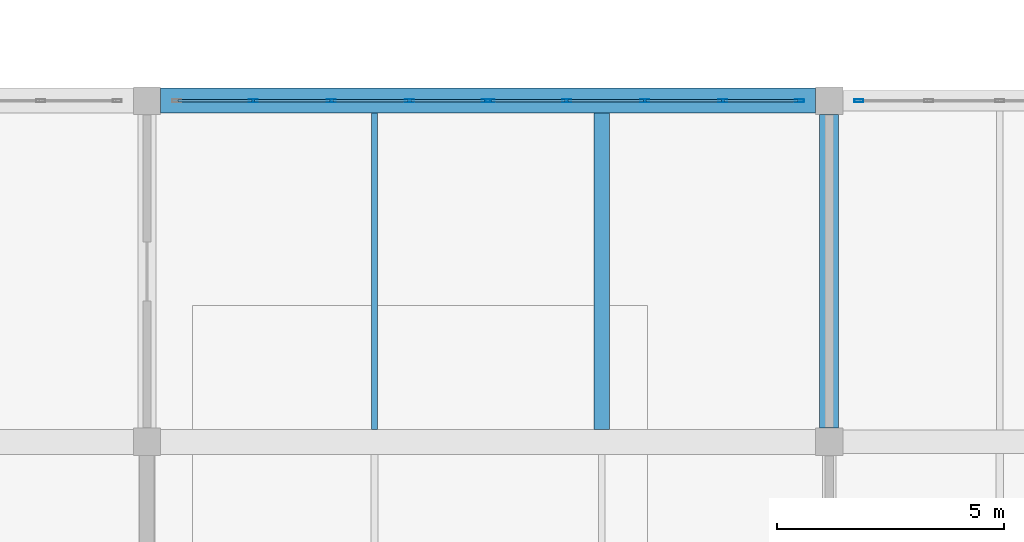
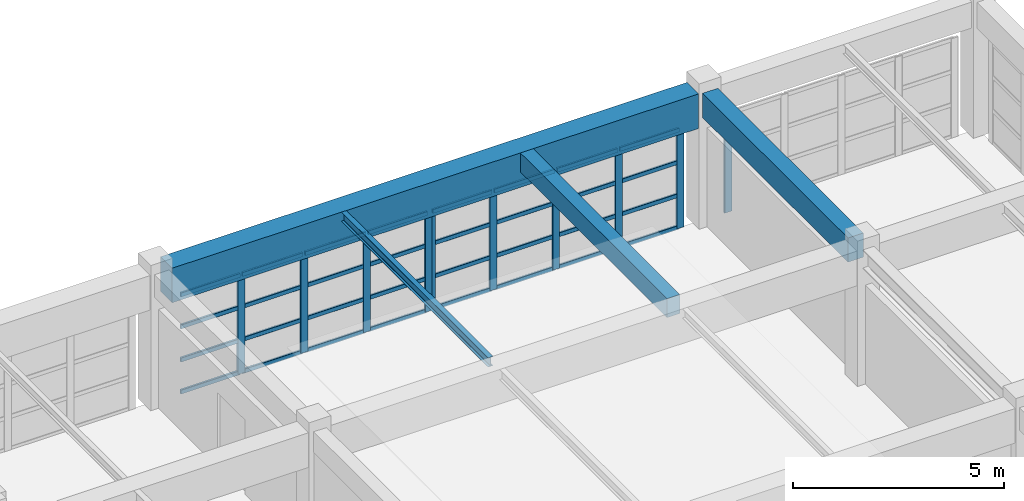
# One storey, part 20 of 124: 42 members, 4 beams, 3 elements without a shape of their own.
"""IFC4 building model written with IfcOpenShell, lengths in metres."""

from ifc_helpers import new_model, si_unit, direction, frame, origin, origin_2d, place, context, subcontext, project, spatial, rectangle, hollow_rectangle, i_section, extrude, material, material_profile, profile_set, type_object, element, aggregate, save


model = new_model("IFC4")

# Units and contexts
model_context = context("Model", 3, precision=1e-05, world=origin(), true_north=direction((0.0, 1.0)))
body_context = subcontext(model_context, "Body", "Model", "MODEL_VIEW")
ifc_project = project(units=[si_unit("LENGTHUNIT", "METRE"), si_unit("AREAUNIT", "SQUARE_METRE"), si_unit("VOLUMEUNIT", "CUBIC_METRE"), si_unit("PLANEANGLEUNIT", "RADIAN"), si_unit("MASSUNIT", "GRAM", prefix="KILO")], contexts=[model_context])

# Site, building, storey
site_placement = place(None, origin())
site = spatial("IfcSite", under=ifc_project, at=site_placement, CompositionType="ELEMENT")
building_placement = place(site_placement, origin())
building = spatial("IfcBuilding", under=site, at=building_placement, Name="Qasida Concert Hall", CompositionType="ELEMENT")
storey_placement = place(building_placement, frame((0.0, 0.0, 9.0)))
storey = spatial("IfcBuildingStorey", under=building, at=storey_placement, Name="L02", CompositionType="ELEMENT", Elevation=9.0)

# Beams
ifc_material_1 = material(Name="Concrete C40/50", Category="concrete")
ifc_material_profile_1 = material_profile(ifc_material_1, rectangle(XDim=0.419921875, YDim=0.699951171875, at=origin_2d()), Name="RC 420x700")
ifc_profile_set_1 = profile_set([ifc_material_profile_1], Name="Concrete C40/50")
beam_type_1 = type_object("IfcBeamType", Name="BM-B11", PredefinedType="BEAM", material=ifc_profile_set_1)
beam_1_placement = place(storey_placement, frame((30.0, 45.300048828125, 3.550048828125), z_axis=(0.0, 1.0, 0.0), x_axis=(-1.0, 0.0, 0.0)))
element("IfcBeam", 1, at=beam_1_placement, inside=storey, type_object=beam_type_1, Name="L02 girder 1313", PredefinedType="BEAM", context=body_context, shape_type="SweptSolid", body=[
    extrude(rectangle(XDim=0.419921875, YDim=0.699951171875, at=origin_2d()), origin(), (0.0, 0.0, 1.0), 6.89990234375),
])
ifc_material_profile_2 = material_profile(ifc_material_1, rectangle(XDim=0.550048828125, YDim=1.0, at=origin_2d()), Name="RC 550x1000")
ifc_profile_set_2 = profile_set([ifc_material_profile_2], Name="Concrete C40/50")
beam_type_2 = type_object("IfcBeamType", Name="BM-G3", PredefinedType="USERDEFINED", material=ifc_profile_set_2)
beam_2_placement = place(storey_placement, frame((15.300048828125, 52.5, 3.39990234375), z_axis=(1.0, 0.0, 0.0), x_axis=(0.0, 1.0, 0.0)))
element("IfcBeam", 2, at=beam_2_placement, inside=storey, type_object=beam_type_2, Name="Primary girder 1291", ObjectType="GIRDER", PredefinedType="USERDEFINED", context=body_context, shape_type="SweptSolid", body=[
    extrude(rectangle(XDim=0.550048828125, YDim=1.0, at=origin_2d()), origin(), (0.0, 0.0, 1.0), 14.39990234375),
])
ifc_material_2 = material(Name="Steel S355J2", Category="steel")
ifc_material_profile_3 = material_profile(ifc_material_2, i_section(OverallWidth=0.135009765625, OverallDepth=0.27001953125, WebThickness=0.006591796875, FlangeThickness=0.01025390625, FilletRadius=0.014892578125, at=origin_2d()), Name="IPE 270")
ifc_profile_set_3 = profile_set([ifc_material_profile_3], Name="Steel S355J2")
beam_type_3 = type_object("IfcBeamType", Name="BM-J6", PredefinedType="JOIST", material=ifc_profile_set_3)
beam_3_placement = place(storey_placement, frame((20.0, 45.27490234375, 3.764892578125), z_axis=(0.0, 1.0, 0.0), x_axis=(-1.0, 0.0, 0.0)))
element("IfcBeam", 3, at=beam_3_placement, inside=storey, type_object=beam_type_3, Name="L02 secondary joist 1341", PredefinedType="JOIST", context=body_context, shape_type="SweptSolid", body=[
    extrude(i_section(OverallWidth=0.135009765625, OverallDepth=0.27001953125, WebThickness=0.006591796875, FlangeThickness=0.01025390625, FilletRadius=0.014892578125, at=origin_2d()), origin(), (0.0, 0.0, 1.0), 6.9501953125),
])
ifc_material_profile_4 = material_profile(ifc_material_1, rectangle(XDim=0.35009765625, YDim=0.550048828125, at=origin_2d()), Name="RC 350x550")
ifc_profile_set_4 = profile_set([ifc_material_profile_4], Name="Concrete C40/50")
beam_type_4 = type_object("IfcBeamType", Name="BM-J8", PredefinedType="JOIST", material=ifc_profile_set_4)
beam_4_placement = place(storey_placement, frame((25.0, 45.27490234375, 3.625), z_axis=(0.0, 1.0, 0.0), x_axis=(-1.0, 0.0, 0.0)))
element("IfcBeam", 4, at=beam_4_placement, inside=storey, type_object=beam_type_4, Name="L02 secondary joist 1342", PredefinedType="JOIST", context=body_context, shape_type="SweptSolid", body=[
    extrude(rectangle(XDim=0.35009765625, YDim=0.550048828125, at=origin_2d()), origin(), (0.0, 0.0, 1.0), 6.9501953125),
])

# Curtain wall, members
ifc_material_3 = material(Name="Architectural bronze-anodized aluminium and low-E glass", Category="aluminium")
curtain_wall_type = type_object("IfcCurtainWallType", Name="CW-08", PredefinedType="NOTDEFINED", material=ifc_material_3)
curtain_wall_1_placement = place(storey_placement, origin())
curtain_wall_1 = element("IfcCurtainWall", 5, at=curtain_wall_1_placement, inside=storey, type_object=curtain_wall_type, Name="L02 curtain wall CW-08 0104", PredefinedType="NOTDEFINED")
ifc_material_4 = material(Name="Architectural bronze-anodized aluminium EN AW-6063", Category="aluminium")
ifc_material_profile_5 = material_profile(ifc_material_4, hollow_rectangle(XDim=0.06494140625, YDim=0.199951171875, WallThickness=0.0048828125, InnerFilletRadius=0.0048828125, OuterFilletRadius=0.010009765625, at=origin_2d()), Name="CWM 200x65x5")
ifc_profile_set_5 = profile_set([ifc_material_profile_5], Name="Architectural bronze-anodized aluminium EN AW-6063")
member_type_1 = type_object("IfcMemberType", Name="MB-CWM-2", PredefinedType="MULLION", material=ifc_profile_set_5)
member_1_placement = place(storey_placement, frame((17.33740234375, 52.5, 0.0), z_axis=(0.0, 0.0, 1.0), x_axis=(0.0, 1.0, 0.0)))
member_1 = element("IfcMember", 6, at=member_1_placement, type_object=member_type_1, Name="CW-08 mullion 2", PredefinedType="MULLION", context=body_context, shape_type="SweptSolid", body=[
    extrude(hollow_rectangle(XDim=0.06494140625, YDim=0.199951171875, WallThickness=0.0048828125, InnerFilletRadius=0.0048828125, OuterFilletRadius=0.010009765625, at=origin_2d()), origin(), (0.0, 0.0, 1.0), 2.8701171875),
])
member_2_placement = place(storey_placement, frame((19.054931640625, 52.5, 0.0), z_axis=(0.0, 0.0, 1.0), x_axis=(0.0, 1.0, 0.0)))
member_2 = element("IfcMember", 7, at=member_2_placement, type_object=member_type_1, Name="CW-08 mullion 3", PredefinedType="MULLION", context=body_context, shape_type="SweptSolid", body=[
    extrude(hollow_rectangle(XDim=0.06494140625, YDim=0.199951171875, WallThickness=0.0048828125, InnerFilletRadius=0.0048828125, OuterFilletRadius=0.010009765625, at=origin_2d()), origin(), (0.0, 0.0, 1.0), 2.8701171875),
])
member_3_placement = place(storey_placement, frame((20.7724609375, 52.5, 0.0), z_axis=(0.0, 0.0, 1.0), x_axis=(0.0, 1.0, 0.0)))
member_3 = element("IfcMember", 8, at=member_3_placement, type_object=member_type_1, Name="CW-08 mullion 4", PredefinedType="MULLION", context=body_context, shape_type="SweptSolid", body=[
    extrude(hollow_rectangle(XDim=0.06494140625, YDim=0.199951171875, WallThickness=0.0048828125, InnerFilletRadius=0.0048828125, OuterFilletRadius=0.010009765625, at=origin_2d()), origin(), (0.0, 0.0, 1.0), 2.8701171875),
])
member_4_placement = place(storey_placement, frame((22.45751953125, 52.5, 0.0), z_axis=(0.0, 0.0, 1.0), x_axis=(0.0, 1.0, 0.0)))
member_4 = element("IfcMember", 9, at=member_4_placement, type_object=member_type_1, Name="CW-08 mullion 5", PredefinedType="MULLION", context=body_context, shape_type="SweptSolid", body=[
    extrude(hollow_rectangle(XDim=0.06494140625, YDim=0.199951171875, WallThickness=0.0048828125, InnerFilletRadius=0.0048828125, OuterFilletRadius=0.010009765625, at=origin_2d()), origin(), (0.0, 0.0, 1.0), 2.8701171875),
])

curtain_wall_2_placement = place(storey_placement, origin())
curtain_wall_2 = element("IfcCurtainWall", 10, at=curtain_wall_2_placement, inside=storey, type_object=curtain_wall_type, Name="L02 curtain wall CW-08 0106", PredefinedType="NOTDEFINED")
member_5_placement = place(storey_placement, frame((22.54248046875, 52.5, 0.0), z_axis=(0.0, 0.0, 1.0), x_axis=(0.0, 1.0, 0.0)))
member_5 = element("IfcMember", 11, at=member_5_placement, type_object=member_type_1, Name="CW-08 mullion 1", PredefinedType="MULLION", context=body_context, shape_type="SweptSolid", body=[
    extrude(hollow_rectangle(XDim=0.06494140625, YDim=0.199951171875, WallThickness=0.0048828125, InnerFilletRadius=0.0048828125, OuterFilletRadius=0.010009765625, at=origin_2d()), origin(), (0.0, 0.0, 1.0), 2.8701171875),
])
member_6_placement = place(storey_placement, frame((24.2275390625, 52.5, 0.0), z_axis=(0.0, 0.0, 1.0), x_axis=(0.0, 1.0, 0.0)))
member_6 = element("IfcMember", 12, at=member_6_placement, type_object=member_type_1, Name="CW-08 mullion 2", PredefinedType="MULLION", context=body_context, shape_type="SweptSolid", body=[
    extrude(hollow_rectangle(XDim=0.06494140625, YDim=0.199951171875, WallThickness=0.0048828125, InnerFilletRadius=0.0048828125, OuterFilletRadius=0.010009765625, at=origin_2d()), origin(), (0.0, 0.0, 1.0), 2.8701171875),
])
member_7_placement = place(storey_placement, frame((25.945068359375, 52.5, 0.0), z_axis=(0.0, 0.0, 1.0), x_axis=(0.0, 1.0, 0.0)))
member_7 = element("IfcMember", 13, at=member_7_placement, type_object=member_type_1, Name="CW-08 mullion 3", PredefinedType="MULLION", context=body_context, shape_type="SweptSolid", body=[
    extrude(hollow_rectangle(XDim=0.06494140625, YDim=0.199951171875, WallThickness=0.0048828125, InnerFilletRadius=0.0048828125, OuterFilletRadius=0.010009765625, at=origin_2d()), origin(), (0.0, 0.0, 1.0), 2.8701171875),
])
member_8_placement = place(storey_placement, frame((27.66259765625, 52.5, 0.0), z_axis=(0.0, 0.0, 1.0), x_axis=(0.0, 1.0, 0.0)))
member_8 = element("IfcMember", 14, at=member_8_placement, type_object=member_type_1, Name="CW-08 mullion 4", PredefinedType="MULLION", context=body_context, shape_type="SweptSolid", body=[
    extrude(hollow_rectangle(XDim=0.06494140625, YDim=0.199951171875, WallThickness=0.0048828125, InnerFilletRadius=0.0048828125, OuterFilletRadius=0.010009765625, at=origin_2d()), origin(), (0.0, 0.0, 1.0), 2.8701171875),
])
member_9_placement = place(storey_placement, frame((29.347412109375, 52.5, 0.0), z_axis=(0.0, 0.0, 1.0), x_axis=(0.0, 1.0, 0.0)))
member_9 = element("IfcMember", 15, at=member_9_placement, type_object=member_type_1, Name="CW-08 mullion 5", PredefinedType="MULLION", context=body_context, shape_type="SweptSolid", body=[
    extrude(hollow_rectangle(XDim=0.06494140625, YDim=0.199951171875, WallThickness=0.0048828125, InnerFilletRadius=0.0048828125, OuterFilletRadius=0.010009765625, at=origin_2d()), origin(), (0.0, 0.0, 1.0), 2.8701171875),
])

# Curtain wall, member
curtain_wall_3_placement = place(storey_placement, origin())
curtain_wall_3 = element("IfcCurtainWall", 16, at=curtain_wall_3_placement, inside=storey, type_object=curtain_wall_type, Name="L02 curtain wall CW-08 0108", PredefinedType="NOTDEFINED")
member_10_placement = place(storey_placement, frame((30.652587890625, 52.5, 0.0), z_axis=(0.0, 0.0, 1.0), x_axis=(0.0, 1.0, 0.0)))
member_10 = element("IfcMember", 17, at=member_10_placement, type_object=member_type_1, Name="CW-08 mullion 1", PredefinedType="MULLION", context=body_context, shape_type="SweptSolid", body=[
    extrude(hollow_rectangle(XDim=0.06494140625, YDim=0.199951171875, WallThickness=0.0048828125, InnerFilletRadius=0.0048828125, OuterFilletRadius=0.010009765625, at=origin_2d()), origin(), (0.0, 0.0, 1.0), 2.8701171875),
])
aggregate(curtain_wall_3, [member_10])

# Member
ifc_material_profile_6 = material_profile(ifc_material_4, hollow_rectangle(XDim=0.06005859375, YDim=0.1201171875, WallThickness=0.00390625, InnerFilletRadius=0.00390625, OuterFilletRadius=0.008056640625, at=origin_2d()), Name="CWT 120x60x4")
ifc_profile_set_6 = profile_set([ifc_material_profile_6], Name="Architectural bronze-anodized aluminium EN AW-6063")
member_type_2 = type_object("IfcMemberType", Name="MB-CWT-2", PredefinedType="USERDEFINED", material=ifc_profile_set_6)
member_11_placement = place(storey_placement, frame((15.68505859375, 52.5, 0.030029296875), z_axis=(1.0, 0.0, 0.0), x_axis=(0.0, 1.0, 0.0)))
member_11 = element("IfcMember", 18, at=member_11_placement, type_object=member_type_2, Name="CW-08 transom 1.1", ObjectType="TRANSOM", PredefinedType="USERDEFINED", context=body_context, shape_type="SweptSolid", body=[
    extrude(hollow_rectangle(XDim=0.06005859375, YDim=0.1201171875, WallThickness=0.00390625, InnerFilletRadius=0.00390625, OuterFilletRadius=0.008056640625, at=origin_2d()), origin(), (0.0, 0.0, 1.0), 1.619873046875),
])

member_12_placement = place(storey_placement, frame((15.68505859375, 52.5, 0.956787109375), z_axis=(1.0, 0.0, 0.0), x_axis=(0.0, 1.0, 0.0)))
member_12 = element("IfcMember", 19, at=member_12_placement, type_object=member_type_2, Name="CW-08 transom 1.2", ObjectType="TRANSOM", PredefinedType="USERDEFINED", context=body_context, shape_type="SweptSolid", body=[
    extrude(hollow_rectangle(XDim=0.06005859375, YDim=0.1201171875, WallThickness=0.00390625, InnerFilletRadius=0.00390625, OuterFilletRadius=0.008056640625, at=origin_2d()), origin(), (0.0, 0.0, 1.0), 1.619873046875),
])

member_13_placement = place(storey_placement, frame((15.68505859375, 52.5, 1.913330078125), z_axis=(1.0, 0.0, 0.0), x_axis=(0.0, 1.0, 0.0)))
member_13 = element("IfcMember", 20, at=member_13_placement, type_object=member_type_2, Name="CW-08 transom 1.3", ObjectType="TRANSOM", PredefinedType="USERDEFINED", context=body_context, shape_type="SweptSolid", body=[
    extrude(hollow_rectangle(XDim=0.06005859375, YDim=0.1201171875, WallThickness=0.00390625, InnerFilletRadius=0.00390625, OuterFilletRadius=0.008056640625, at=origin_2d()), origin(), (0.0, 0.0, 1.0), 1.619873046875),
])

member_14_placement = place(storey_placement, frame((15.68505859375, 52.5, 2.840087890625), z_axis=(1.0, 0.0, 0.0), x_axis=(0.0, 1.0, 0.0)))
member_14 = element("IfcMember", 21, at=member_14_placement, type_object=member_type_2, Name="CW-08 transom 1.4", ObjectType="TRANSOM", PredefinedType="USERDEFINED", context=body_context, shape_type="SweptSolid", body=[
    extrude(hollow_rectangle(XDim=0.06005859375, YDim=0.1201171875, WallThickness=0.00390625, InnerFilletRadius=0.00390625, OuterFilletRadius=0.008056640625, at=origin_2d()), origin(), (0.0, 0.0, 1.0), 1.619873046875),
])

member_15_placement = place(storey_placement, frame((17.3701171875, 52.5, 0.030029296875), z_axis=(1.0, 0.0, 0.0), x_axis=(0.0, 1.0, 0.0)))
member_15 = element("IfcMember", 22, at=member_15_placement, type_object=member_type_2, Name="CW-08 transom 2.1", ObjectType="TRANSOM", PredefinedType="USERDEFINED", context=body_context, shape_type="SweptSolid", body=[
    extrude(hollow_rectangle(XDim=0.06005859375, YDim=0.1201171875, WallThickness=0.00390625, InnerFilletRadius=0.00390625, OuterFilletRadius=0.008056640625, at=origin_2d()), origin(), (0.0, 0.0, 1.0), 1.65234375),
])

member_16_placement = place(storey_placement, frame((17.3701171875, 52.5, 0.956787109375), z_axis=(1.0, 0.0, 0.0), x_axis=(0.0, 1.0, 0.0)))
member_16 = element("IfcMember", 23, at=member_16_placement, type_object=member_type_2, Name="CW-08 transom 2.2", ObjectType="TRANSOM", PredefinedType="USERDEFINED", context=body_context, shape_type="SweptSolid", body=[
    extrude(hollow_rectangle(XDim=0.06005859375, YDim=0.1201171875, WallThickness=0.00390625, InnerFilletRadius=0.00390625, OuterFilletRadius=0.008056640625, at=origin_2d()), origin(), (0.0, 0.0, 1.0), 1.65234375),
])

member_17_placement = place(storey_placement, frame((17.3701171875, 52.5, 1.913330078125), z_axis=(1.0, 0.0, 0.0), x_axis=(0.0, 1.0, 0.0)))
member_17 = element("IfcMember", 24, at=member_17_placement, type_object=member_type_2, Name="CW-08 transom 2.3", ObjectType="TRANSOM", PredefinedType="USERDEFINED", context=body_context, shape_type="SweptSolid", body=[
    extrude(hollow_rectangle(XDim=0.06005859375, YDim=0.1201171875, WallThickness=0.00390625, InnerFilletRadius=0.00390625, OuterFilletRadius=0.008056640625, at=origin_2d()), origin(), (0.0, 0.0, 1.0), 1.65234375),
])

member_18_placement = place(storey_placement, frame((17.3701171875, 52.5, 2.840087890625), z_axis=(1.0, 0.0, 0.0), x_axis=(0.0, 1.0, 0.0)))
member_18 = element("IfcMember", 25, at=member_18_placement, type_object=member_type_2, Name="CW-08 transom 2.4", ObjectType="TRANSOM", PredefinedType="USERDEFINED", context=body_context, shape_type="SweptSolid", body=[
    extrude(hollow_rectangle(XDim=0.06005859375, YDim=0.1201171875, WallThickness=0.00390625, InnerFilletRadius=0.00390625, OuterFilletRadius=0.008056640625, at=origin_2d()), origin(), (0.0, 0.0, 1.0), 1.65234375),
])

member_19_placement = place(storey_placement, frame((19.08740234375, 52.5, 0.030029296875), z_axis=(1.0, 0.0, 0.0), x_axis=(0.0, 1.0, 0.0)))
member_19 = element("IfcMember", 26, at=member_19_placement, type_object=member_type_2, Name="CW-08 transom 3.1", ObjectType="TRANSOM", PredefinedType="USERDEFINED", context=body_context, shape_type="SweptSolid", body=[
    extrude(hollow_rectangle(XDim=0.06005859375, YDim=0.1201171875, WallThickness=0.00390625, InnerFilletRadius=0.00390625, OuterFilletRadius=0.008056640625, at=origin_2d()), origin(), (0.0, 0.0, 1.0), 1.652587890625),
])

member_20_placement = place(storey_placement, frame((19.08740234375, 52.5, 0.956787109375), z_axis=(1.0, 0.0, 0.0), x_axis=(0.0, 1.0, 0.0)))
member_20 = element("IfcMember", 27, at=member_20_placement, type_object=member_type_2, Name="CW-08 transom 3.2", ObjectType="TRANSOM", PredefinedType="USERDEFINED", context=body_context, shape_type="SweptSolid", body=[
    extrude(hollow_rectangle(XDim=0.06005859375, YDim=0.1201171875, WallThickness=0.00390625, InnerFilletRadius=0.00390625, OuterFilletRadius=0.008056640625, at=origin_2d()), origin(), (0.0, 0.0, 1.0), 1.652587890625),
])

member_21_placement = place(storey_placement, frame((19.08740234375, 52.5, 1.913330078125), z_axis=(1.0, 0.0, 0.0), x_axis=(0.0, 1.0, 0.0)))
member_21 = element("IfcMember", 28, at=member_21_placement, type_object=member_type_2, Name="CW-08 transom 3.3", ObjectType="TRANSOM", PredefinedType="USERDEFINED", context=body_context, shape_type="SweptSolid", body=[
    extrude(hollow_rectangle(XDim=0.06005859375, YDim=0.1201171875, WallThickness=0.00390625, InnerFilletRadius=0.00390625, OuterFilletRadius=0.008056640625, at=origin_2d()), origin(), (0.0, 0.0, 1.0), 1.652587890625),
])

member_22_placement = place(storey_placement, frame((19.08740234375, 52.5, 2.840087890625), z_axis=(1.0, 0.0, 0.0), x_axis=(0.0, 1.0, 0.0)))
member_22 = element("IfcMember", 29, at=member_22_placement, type_object=member_type_2, Name="CW-08 transom 3.4", ObjectType="TRANSOM", PredefinedType="USERDEFINED", context=body_context, shape_type="SweptSolid", body=[
    extrude(hollow_rectangle(XDim=0.06005859375, YDim=0.1201171875, WallThickness=0.00390625, InnerFilletRadius=0.00390625, OuterFilletRadius=0.008056640625, at=origin_2d()), origin(), (0.0, 0.0, 1.0), 1.652587890625),
])

member_23_placement = place(storey_placement, frame((20.804931640625, 52.5, 0.030029296875), z_axis=(1.0, 0.0, 0.0), x_axis=(0.0, 1.0, 0.0)))
member_23 = element("IfcMember", 30, at=member_23_placement, type_object=member_type_2, Name="CW-08 transom 4.1", ObjectType="TRANSOM", PredefinedType="USERDEFINED", context=body_context, shape_type="SweptSolid", body=[
    extrude(hollow_rectangle(XDim=0.06005859375, YDim=0.1201171875, WallThickness=0.00390625, InnerFilletRadius=0.00390625, OuterFilletRadius=0.008056640625, at=origin_2d()), origin(), (0.0, 0.0, 1.0), 1.6201171875),
])

member_24_placement = place(storey_placement, frame((20.804931640625, 52.5, 0.956787109375), z_axis=(1.0, 0.0, 0.0), x_axis=(0.0, 1.0, 0.0)))
member_24 = element("IfcMember", 31, at=member_24_placement, type_object=member_type_2, Name="CW-08 transom 4.2", ObjectType="TRANSOM", PredefinedType="USERDEFINED", context=body_context, shape_type="SweptSolid", body=[
    extrude(hollow_rectangle(XDim=0.06005859375, YDim=0.1201171875, WallThickness=0.00390625, InnerFilletRadius=0.00390625, OuterFilletRadius=0.008056640625, at=origin_2d()), origin(), (0.0, 0.0, 1.0), 1.6201171875),
])

member_25_placement = place(storey_placement, frame((20.804931640625, 52.5, 1.913330078125), z_axis=(1.0, 0.0, 0.0), x_axis=(0.0, 1.0, 0.0)))
member_25 = element("IfcMember", 32, at=member_25_placement, type_object=member_type_2, Name="CW-08 transom 4.3", ObjectType="TRANSOM", PredefinedType="USERDEFINED", context=body_context, shape_type="SweptSolid", body=[
    extrude(hollow_rectangle(XDim=0.06005859375, YDim=0.1201171875, WallThickness=0.00390625, InnerFilletRadius=0.00390625, OuterFilletRadius=0.008056640625, at=origin_2d()), origin(), (0.0, 0.0, 1.0), 1.6201171875),
])

member_26_placement = place(storey_placement, frame((20.804931640625, 52.5, 2.840087890625), z_axis=(1.0, 0.0, 0.0), x_axis=(0.0, 1.0, 0.0)))
member_26 = element("IfcMember", 33, at=member_26_placement, type_object=member_type_2, Name="CW-08 transom 4.4", ObjectType="TRANSOM", PredefinedType="USERDEFINED", context=body_context, shape_type="SweptSolid", body=[
    extrude(hollow_rectangle(XDim=0.06005859375, YDim=0.1201171875, WallThickness=0.00390625, InnerFilletRadius=0.00390625, OuterFilletRadius=0.008056640625, at=origin_2d()), origin(), (0.0, 0.0, 1.0), 1.6201171875),
])

aggregate(curtain_wall_1, [member_1, member_2, member_3, member_4, member_11, member_12, member_13, member_14, member_15, member_16, member_17, member_18, member_19, member_20, member_21, member_22, member_23, member_24, member_25, member_26])

member_27_placement = place(storey_placement, frame((22.574951171875, 52.5, 0.030029296875), z_axis=(1.0, 0.0, 0.0), x_axis=(0.0, 1.0, 0.0)))
member_27 = element("IfcMember", 34, at=member_27_placement, type_object=member_type_2, Name="CW-08 transom 1.1", ObjectType="TRANSOM", PredefinedType="USERDEFINED", context=body_context, shape_type="SweptSolid", body=[
    extrude(hollow_rectangle(XDim=0.06005859375, YDim=0.1201171875, WallThickness=0.00390625, InnerFilletRadius=0.00390625, OuterFilletRadius=0.008056640625, at=origin_2d()), origin(), (0.0, 0.0, 1.0), 1.6201171875),
])

member_28_placement = place(storey_placement, frame((22.574951171875, 52.5, 0.956787109375), z_axis=(1.0, 0.0, 0.0), x_axis=(0.0, 1.0, 0.0)))
member_28 = element("IfcMember", 35, at=member_28_placement, type_object=member_type_2, Name="CW-08 transom 1.2", ObjectType="TRANSOM", PredefinedType="USERDEFINED", context=body_context, shape_type="SweptSolid", body=[
    extrude(hollow_rectangle(XDim=0.06005859375, YDim=0.1201171875, WallThickness=0.00390625, InnerFilletRadius=0.00390625, OuterFilletRadius=0.008056640625, at=origin_2d()), origin(), (0.0, 0.0, 1.0), 1.6201171875),
])

member_29_placement = place(storey_placement, frame((22.574951171875, 52.5, 1.913330078125), z_axis=(1.0, 0.0, 0.0), x_axis=(0.0, 1.0, 0.0)))
member_29 = element("IfcMember", 36, at=member_29_placement, type_object=member_type_2, Name="CW-08 transom 1.3", ObjectType="TRANSOM", PredefinedType="USERDEFINED", context=body_context, shape_type="SweptSolid", body=[
    extrude(hollow_rectangle(XDim=0.06005859375, YDim=0.1201171875, WallThickness=0.00390625, InnerFilletRadius=0.00390625, OuterFilletRadius=0.008056640625, at=origin_2d()), origin(), (0.0, 0.0, 1.0), 1.6201171875),
])

member_30_placement = place(storey_placement, frame((22.574951171875, 52.5, 2.840087890625), z_axis=(1.0, 0.0, 0.0), x_axis=(0.0, 1.0, 0.0)))
member_30 = element("IfcMember", 37, at=member_30_placement, type_object=member_type_2, Name="CW-08 transom 1.4", ObjectType="TRANSOM", PredefinedType="USERDEFINED", context=body_context, shape_type="SweptSolid", body=[
    extrude(hollow_rectangle(XDim=0.06005859375, YDim=0.1201171875, WallThickness=0.00390625, InnerFilletRadius=0.00390625, OuterFilletRadius=0.008056640625, at=origin_2d()), origin(), (0.0, 0.0, 1.0), 1.6201171875),
])

member_31_placement = place(storey_placement, frame((24.260009765625, 52.5, 0.030029296875), z_axis=(1.0, 0.0, 0.0), x_axis=(0.0, 1.0, 0.0)))
member_31 = element("IfcMember", 38, at=member_31_placement, type_object=member_type_2, Name="CW-08 transom 2.1", ObjectType="TRANSOM", PredefinedType="USERDEFINED", context=body_context, shape_type="SweptSolid", body=[
    extrude(hollow_rectangle(XDim=0.06005859375, YDim=0.1201171875, WallThickness=0.00390625, InnerFilletRadius=0.00390625, OuterFilletRadius=0.008056640625, at=origin_2d()), origin(), (0.0, 0.0, 1.0), 1.652587890625),
])

member_32_placement = place(storey_placement, frame((24.260009765625, 52.5, 0.956787109375), z_axis=(1.0, 0.0, 0.0), x_axis=(0.0, 1.0, 0.0)))
member_32 = element("IfcMember", 39, at=member_32_placement, type_object=member_type_2, Name="CW-08 transom 2.2", ObjectType="TRANSOM", PredefinedType="USERDEFINED", context=body_context, shape_type="SweptSolid", body=[
    extrude(hollow_rectangle(XDim=0.06005859375, YDim=0.1201171875, WallThickness=0.00390625, InnerFilletRadius=0.00390625, OuterFilletRadius=0.008056640625, at=origin_2d()), origin(), (0.0, 0.0, 1.0), 1.652587890625),
])

member_33_placement = place(storey_placement, frame((24.260009765625, 52.5, 1.913330078125), z_axis=(1.0, 0.0, 0.0), x_axis=(0.0, 1.0, 0.0)))
member_33 = element("IfcMember", 40, at=member_33_placement, type_object=member_type_2, Name="CW-08 transom 2.3", ObjectType="TRANSOM", PredefinedType="USERDEFINED", context=body_context, shape_type="SweptSolid", body=[
    extrude(hollow_rectangle(XDim=0.06005859375, YDim=0.1201171875, WallThickness=0.00390625, InnerFilletRadius=0.00390625, OuterFilletRadius=0.008056640625, at=origin_2d()), origin(), (0.0, 0.0, 1.0), 1.652587890625),
])

member_34_placement = place(storey_placement, frame((24.260009765625, 52.5, 2.840087890625), z_axis=(1.0, 0.0, 0.0), x_axis=(0.0, 1.0, 0.0)))
member_34 = element("IfcMember", 41, at=member_34_placement, type_object=member_type_2, Name="CW-08 transom 2.4", ObjectType="TRANSOM", PredefinedType="USERDEFINED", context=body_context, shape_type="SweptSolid", body=[
    extrude(hollow_rectangle(XDim=0.06005859375, YDim=0.1201171875, WallThickness=0.00390625, InnerFilletRadius=0.00390625, OuterFilletRadius=0.008056640625, at=origin_2d()), origin(), (0.0, 0.0, 1.0), 1.652587890625),
])

member_35_placement = place(storey_placement, frame((25.9775390625, 52.5, 0.030029296875), z_axis=(1.0, 0.0, 0.0), x_axis=(0.0, 1.0, 0.0)))
member_35 = element("IfcMember", 42, at=member_35_placement, type_object=member_type_2, Name="CW-08 transom 3.1", ObjectType="TRANSOM", PredefinedType="USERDEFINED", context=body_context, shape_type="SweptSolid", body=[
    extrude(hollow_rectangle(XDim=0.06005859375, YDim=0.1201171875, WallThickness=0.00390625, InnerFilletRadius=0.00390625, OuterFilletRadius=0.008056640625, at=origin_2d()), origin(), (0.0, 0.0, 1.0), 1.65234375),
])

member_36_placement = place(storey_placement, frame((25.9775390625, 52.5, 0.956787109375), z_axis=(1.0, 0.0, 0.0), x_axis=(0.0, 1.0, 0.0)))
member_36 = element("IfcMember", 43, at=member_36_placement, type_object=member_type_2, Name="CW-08 transom 3.2", ObjectType="TRANSOM", PredefinedType="USERDEFINED", context=body_context, shape_type="SweptSolid", body=[
    extrude(hollow_rectangle(XDim=0.06005859375, YDim=0.1201171875, WallThickness=0.00390625, InnerFilletRadius=0.00390625, OuterFilletRadius=0.008056640625, at=origin_2d()), origin(), (0.0, 0.0, 1.0), 1.65234375),
])

member_37_placement = place(storey_placement, frame((25.9775390625, 52.5, 1.913330078125), z_axis=(1.0, 0.0, 0.0), x_axis=(0.0, 1.0, 0.0)))
member_37 = element("IfcMember", 44, at=member_37_placement, type_object=member_type_2, Name="CW-08 transom 3.3", ObjectType="TRANSOM", PredefinedType="USERDEFINED", context=body_context, shape_type="SweptSolid", body=[
    extrude(hollow_rectangle(XDim=0.06005859375, YDim=0.1201171875, WallThickness=0.00390625, InnerFilletRadius=0.00390625, OuterFilletRadius=0.008056640625, at=origin_2d()), origin(), (0.0, 0.0, 1.0), 1.65234375),
])

member_38_placement = place(storey_placement, frame((25.9775390625, 52.5, 2.840087890625), z_axis=(1.0, 0.0, 0.0), x_axis=(0.0, 1.0, 0.0)))
member_38 = element("IfcMember", 45, at=member_38_placement, type_object=member_type_2, Name="CW-08 transom 3.4", ObjectType="TRANSOM", PredefinedType="USERDEFINED", context=body_context, shape_type="SweptSolid", body=[
    extrude(hollow_rectangle(XDim=0.06005859375, YDim=0.1201171875, WallThickness=0.00390625, InnerFilletRadius=0.00390625, OuterFilletRadius=0.008056640625, at=origin_2d()), origin(), (0.0, 0.0, 1.0), 1.65234375),
])

member_39_placement = place(storey_placement, frame((27.695068359375, 52.5, 0.030029296875), z_axis=(1.0, 0.0, 0.0), x_axis=(0.0, 1.0, 0.0)))
member_39 = element("IfcMember", 46, at=member_39_placement, type_object=member_type_2, Name="CW-08 transom 4.1", ObjectType="TRANSOM", PredefinedType="USERDEFINED", context=body_context, shape_type="SweptSolid", body=[
    extrude(hollow_rectangle(XDim=0.06005859375, YDim=0.1201171875, WallThickness=0.00390625, InnerFilletRadius=0.00390625, OuterFilletRadius=0.008056640625, at=origin_2d()), origin(), (0.0, 0.0, 1.0), 1.619873046875),
])

member_40_placement = place(storey_placement, frame((27.695068359375, 52.5, 0.956787109375), z_axis=(1.0, 0.0, 0.0), x_axis=(0.0, 1.0, 0.0)))
member_40 = element("IfcMember", 47, at=member_40_placement, type_object=member_type_2, Name="CW-08 transom 4.2", ObjectType="TRANSOM", PredefinedType="USERDEFINED", context=body_context, shape_type="SweptSolid", body=[
    extrude(hollow_rectangle(XDim=0.06005859375, YDim=0.1201171875, WallThickness=0.00390625, InnerFilletRadius=0.00390625, OuterFilletRadius=0.008056640625, at=origin_2d()), origin(), (0.0, 0.0, 1.0), 1.619873046875),
])

member_41_placement = place(storey_placement, frame((27.695068359375, 52.5, 1.913330078125), z_axis=(1.0, 0.0, 0.0), x_axis=(0.0, 1.0, 0.0)))
member_41 = element("IfcMember", 48, at=member_41_placement, type_object=member_type_2, Name="CW-08 transom 4.3", ObjectType="TRANSOM", PredefinedType="USERDEFINED", context=body_context, shape_type="SweptSolid", body=[
    extrude(hollow_rectangle(XDim=0.06005859375, YDim=0.1201171875, WallThickness=0.00390625, InnerFilletRadius=0.00390625, OuterFilletRadius=0.008056640625, at=origin_2d()), origin(), (0.0, 0.0, 1.0), 1.619873046875),
])

member_42_placement = place(storey_placement, frame((27.695068359375, 52.5, 2.840087890625), z_axis=(1.0, 0.0, 0.0), x_axis=(0.0, 1.0, 0.0)))
member_42 = element("IfcMember", 49, at=member_42_placement, type_object=member_type_2, Name="CW-08 transom 4.4", ObjectType="TRANSOM", PredefinedType="USERDEFINED", context=body_context, shape_type="SweptSolid", body=[
    extrude(hollow_rectangle(XDim=0.06005859375, YDim=0.1201171875, WallThickness=0.00390625, InnerFilletRadius=0.00390625, OuterFilletRadius=0.008056640625, at=origin_2d()), origin(), (0.0, 0.0, 1.0), 1.619873046875),
])

aggregate(curtain_wall_2, [member_5, member_6, member_7, member_8, member_9, member_27, member_28, member_29, member_30, member_31, member_32, member_33, member_34, member_35, member_36, member_37, member_38, member_39, member_40, member_41, member_42])

save(model, "model.ifc")
